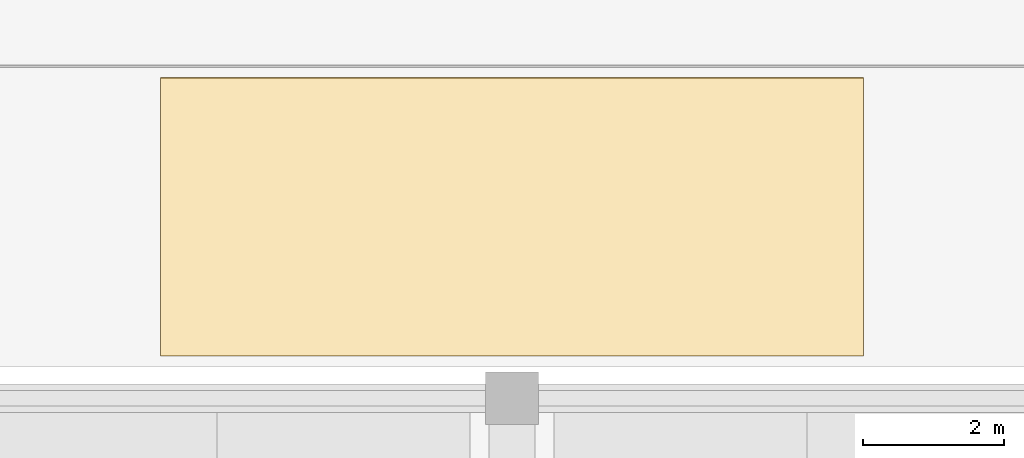
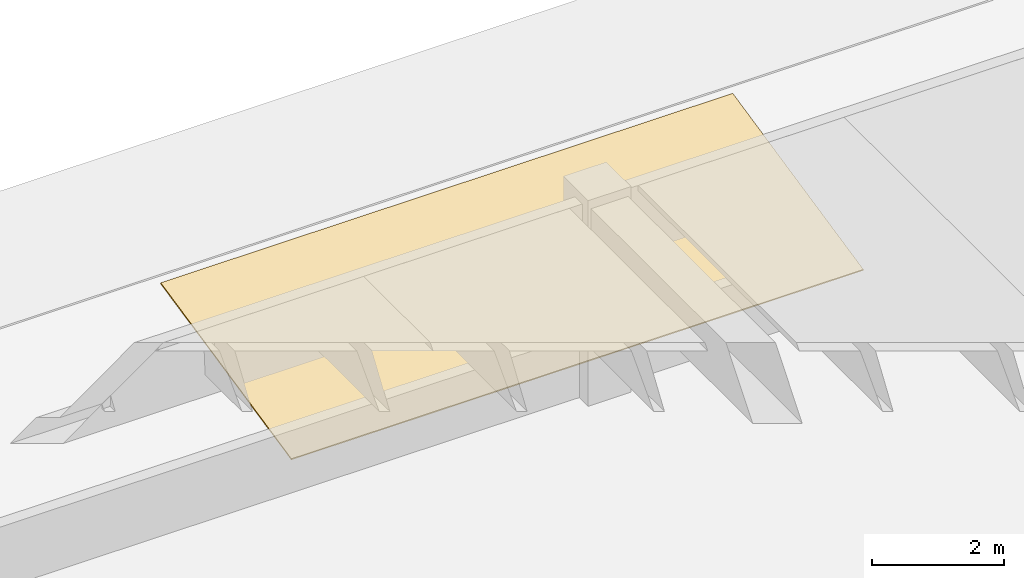
# One storey, part 16 of 16: 1 covering.
"""IFC4 building model written with IfcOpenShell, lengths in metres."""

from ifc_helpers import new_model, si_unit, direction, frame, origin, place, context, subcontext, project, spatial, polyline, outline, extrude, material, layer, layer_set, type_object, element, save


model = new_model("IFC4")

# Units and contexts
model_context = context("Model", 3, precision=1e-05, world=origin(), true_north=direction((0.0, 1.0)))
body_context = subcontext(model_context, "Body", "Model", "MODEL_VIEW")
ifc_project = project(units=[si_unit("LENGTHUNIT", "METRE"), si_unit("AREAUNIT", "SQUARE_METRE"), si_unit("VOLUMEUNIT", "CUBIC_METRE"), si_unit("PLANEANGLEUNIT", "RADIAN"), si_unit("MASSUNIT", "GRAM", prefix="KILO")], contexts=[model_context])

# Site, building, storey
site_placement = place(None, origin())
site = spatial("IfcSite", under=ifc_project, at=site_placement, CompositionType="ELEMENT")
building_placement = place(site_placement, origin())
building = spatial("IfcBuilding", under=site, at=building_placement, Name="Girod Span Mobility Hub", CompositionType="ELEMENT")
storey_placement = place(building_placement, frame((0.0, 0.0, 21.0)))
storey = spatial("IfcBuildingStorey", under=building, at=storey_placement, Name="L05", CompositionType="ELEMENT", Elevation=21.0)

# Covering
ifc_material = material(Name="EPDM Cool-Roof Waterproofing Membrane", Category="polymer")
ifc_layer = layer(ifc_material, 0.02490234375)
ifc_layer_set = layer_set([ifc_layer], Name="EPDM Cool-Roof Waterproofing Membrane")
covering_type = type_object("IfcCoveringType", Name="COV-RF-EPDM", PredefinedType="ROOFING", material=ifc_layer_set)
covering_placement = place(storey_placement, frame((79.0, 105.60009765625, 0.057373046875), z_axis=(0.0, -0.211262718974, 0.977429313849), x_axis=(1.0, 0.0, 0.0)))
element("IfcCovering", 1, at=covering_placement, inside=storey, type_object=covering_type, Name="Setback Roof Membrane L04 N", PredefinedType="ROOFING", context=body_context, shape_type="SweptSolid", body=[
    extrude(outline(polyline([(0.0, 0.0), (10.0, 0.0), (10.0, 4.048156785673795), (0.0, 4.048156785673795), (0.0, 0.0)])), origin(), (0.0, 0.0, -1.0), 0.02490234375),
])

save(model, "model.ifc")
